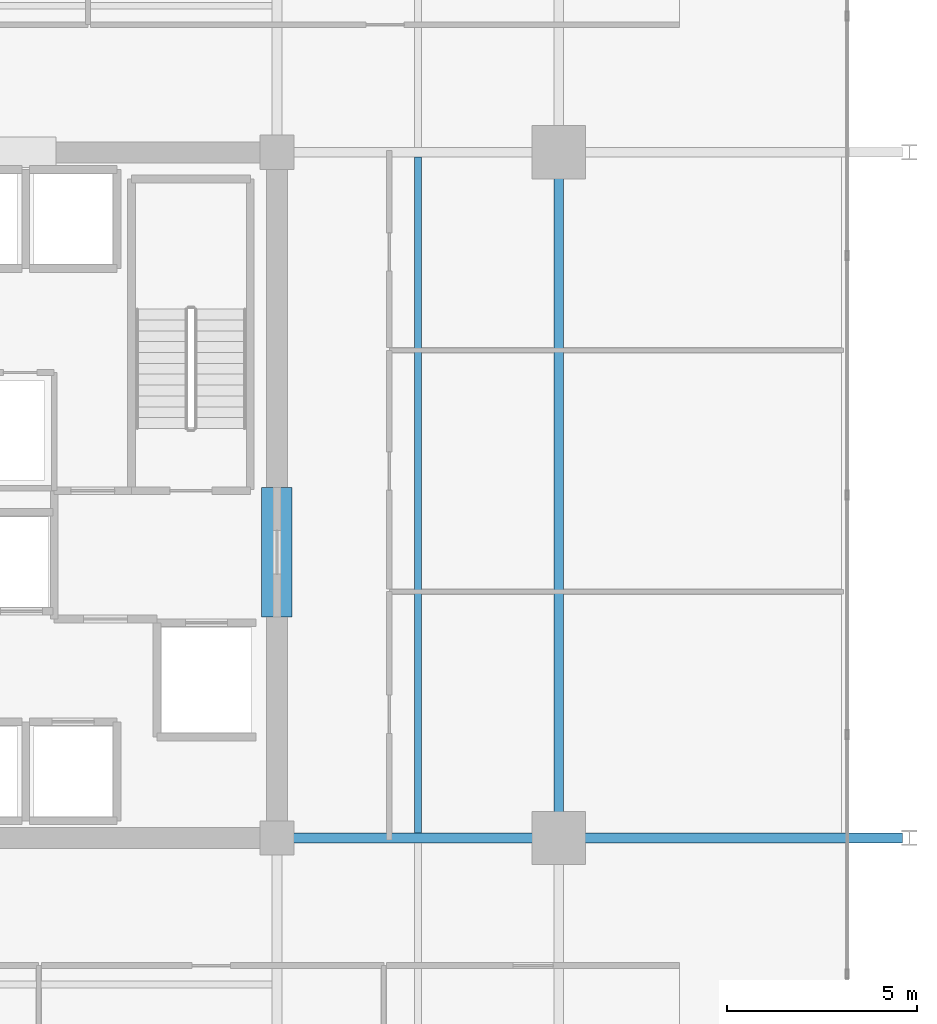
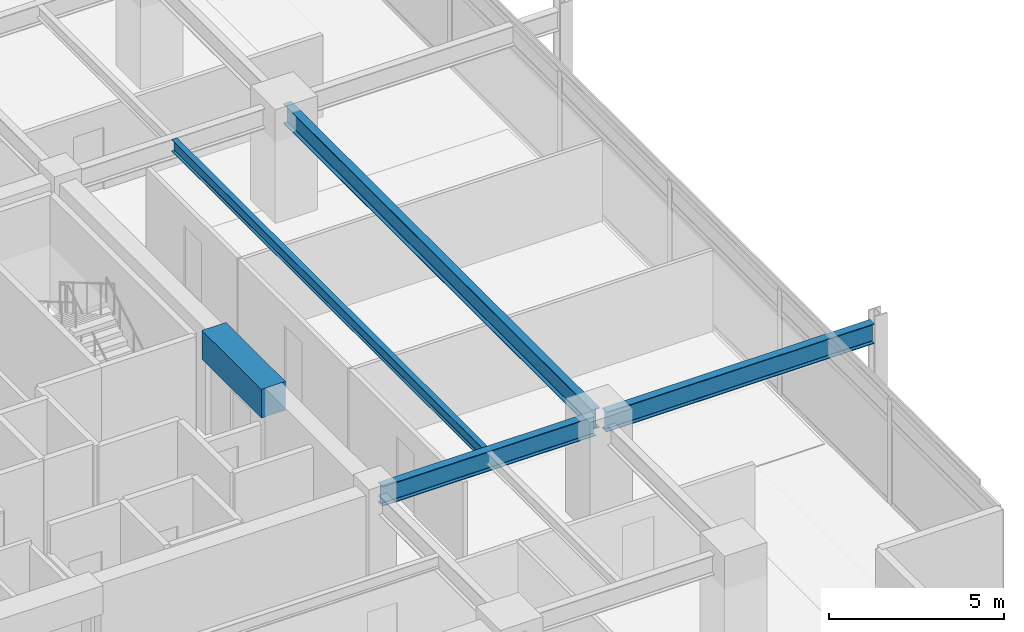
# One storey, part 3 of 22: 5 beams.
"""IFC4 building model written with IfcOpenShell, lengths in metres."""

from ifc_helpers import new_model, si_unit, direction, frame, origin, origin_2d, place, context, subcontext, project, spatial, rectangle, i_section, extrude, material, material_profile, profile_set, type_object, element, save


model = new_model("IFC4")

# Units and contexts
model_context = context("Model", 3, precision=1e-05, world=origin(), true_north=direction((0.0, 1.0)))
body_context = subcontext(model_context, "Body", "Model", "MODEL_VIEW")
ifc_project = project(units=[si_unit("LENGTHUNIT", "METRE"), si_unit("AREAUNIT", "SQUARE_METRE"), si_unit("VOLUMEUNIT", "CUBIC_METRE"), si_unit("PLANEANGLEUNIT", "RADIAN"), si_unit("MASSUNIT", "GRAM", prefix="KILO")], contexts=[model_context])

# Site, building, storey
site_placement = place(None, origin())
site = spatial("IfcSite", under=ifc_project, at=site_placement, CompositionType="ELEMENT")
building_placement = place(site_placement, origin())
building = spatial("IfcBuilding", under=site, at=building_placement, Name="Kovane Verandah Tower", CompositionType="ELEMENT")
storey_placement = place(building_placement, frame((0.0, 0.0, 229.199951171875)))
storey = spatial("IfcBuildingStorey", under=building, at=storey_placement, Name="L53", CompositionType="ELEMENT", Elevation=229.199951171875)

# Beams
ifc_material_1 = material(Name="Concrete C60/75", Category="concrete")
ifc_material_profile_1 = material_profile(ifc_material_1, rectangle(XDim=0.800048828125, YDim=1.0, at=origin_2d()), Name="RCB800x1000")
ifc_profile_set_1 = profile_set([ifc_material_profile_1], Name="Concrete C60/75")
beam_type_1 = type_object("IfcBeamType", Name="BM-LINTEL-800x1000", PredefinedType="LINTEL", material=ifc_profile_set_1)
beam_1_placement = place(storey_placement, frame((51.0, 24.300048828125, 3.199951171875), z_axis=(0.0, 1.0, 0.0), x_axis=(-1.0, 0.0, 0.0)))
element("IfcBeam", 1, at=beam_1_placement, inside=storey, type_object=beam_type_1, Name="L53 Core Coupling Lintel CL-E", PredefinedType="LINTEL", context=body_context, shape_type="SweptSolid", body=[
    extrude(rectangle(XDim=0.800048828125, YDim=1.0, at=origin_2d()), origin(), (0.0, 0.0, 1.0), 3.39990234375),
])
ifc_material_2 = material(Name="Steel S355", Category="steel")
ifc_material_profile_2 = material_profile(ifc_material_2, i_section(OverallWidth=0.255859375, OverallDepth=0.69287109375, WebThickness=0.014404296875, FlangeThickness=0.023681640625, FilletRadius=0.01513671875, at=origin_2d()), Name="UB686x254x170")
ifc_profile_set_2 = profile_set([ifc_material_profile_2], Name="Steel S355")
beam_type_2 = type_object("IfcBeamType", Name="BM-UB686x170", PredefinedType="BEAM", material=ifc_profile_set_2)
beam_2_placement = place(storey_placement, frame((58.39990234375, 18.679931640625, 3.353759765625), z_axis=(0.0, 1.0, 0.0), x_axis=(-1.0, 0.0, 0.0)))
element("IfcBeam", 2, at=beam_2_placement, inside=storey, type_object=beam_type_2, Name="L53 Primary Tower Girder G-RE2", PredefinedType="BEAM", context=body_context, shape_type="SweptSolid", body=[
    extrude(i_section(OverallWidth=0.255859375, OverallDepth=0.69287109375, WebThickness=0.014404296875, FlangeThickness=0.023681640625, FilletRadius=0.01513671875, at=origin_2d()), origin(), (0.0, 0.0, 1.0), 17.64013671875),
])
beam_3_placement = place(storey_placement, frame((51.179931640625, 18.5, 3.353759765625), z_axis=(1.0, 0.0, 0.0), x_axis=(0.0, 1.0, 0.0)))
element("IfcBeam", 3, at=beam_3_placement, inside=storey, type_object=beam_type_2, Name="L53 Primary Tower Girder G-E1", PredefinedType="BEAM", context=body_context, shape_type="SweptSolid", body=[
    extrude(i_section(OverallWidth=0.255859375, OverallDepth=0.69287109375, WebThickness=0.014404296875, FlangeThickness=0.023681640625, FilletRadius=0.01513671875, at=origin_2d()), origin(), (0.0, 0.0, 1.0), 7.0400390625),
])
beam_4_placement = place(storey_placement, frame((58.580078125, 18.5, 3.353759765625), z_axis=(1.0, 0.0, 0.0), x_axis=(0.0, 1.0, 0.0)))
element("IfcBeam", 4, at=beam_4_placement, inside=storey, type_object=beam_type_2, Name="L53 Primary Tower Girder G-VE1", PredefinedType="BEAM", context=body_context, shape_type="SweptSolid", body=[
    extrude(i_section(OverallWidth=0.255859375, OverallDepth=0.69287109375, WebThickness=0.014404296875, FlangeThickness=0.023681640625, FilletRadius=0.01513671875, at=origin_2d()), origin(), (0.0, 0.0, 1.0), 8.83984375),
])
ifc_material_profile_3 = material_profile(ifc_material_2, i_section(OverallWidth=0.179443359375, OverallDepth=0.412841796875, WebThickness=0.009521484375, FlangeThickness=0.01611328125, FilletRadius=0.01025390625, at=origin_2d()), Name="UB406x178x74")
ifc_profile_set_3 = profile_set([ifc_material_profile_3], Name="Steel S355")
beam_type_3 = type_object("IfcBeamType", Name="JST-UB406x74", PredefinedType="JOIST", material=ifc_profile_set_3)
beam_5_placement = place(storey_placement, frame((54.699951171875, 18.6259765625, 3.49365234375), z_axis=(0.0, 1.0, 0.0), x_axis=(-1.0, 0.0, 0.0)))
element("IfcBeam", 5, at=beam_5_placement, inside=storey, type_object=beam_type_3, Name="L53 Secondary Composite Joist J-E1", PredefinedType="JOIST", context=body_context, shape_type="SweptSolid", body=[
    extrude(i_section(OverallWidth=0.179443359375, OverallDepth=0.412841796875, WebThickness=0.009521484375, FlangeThickness=0.01611328125, FilletRadius=0.01025390625, at=origin_2d()), origin(), (0.0, 0.0, 1.0), 17.748046875),
])

save(model, "model.ifc")
